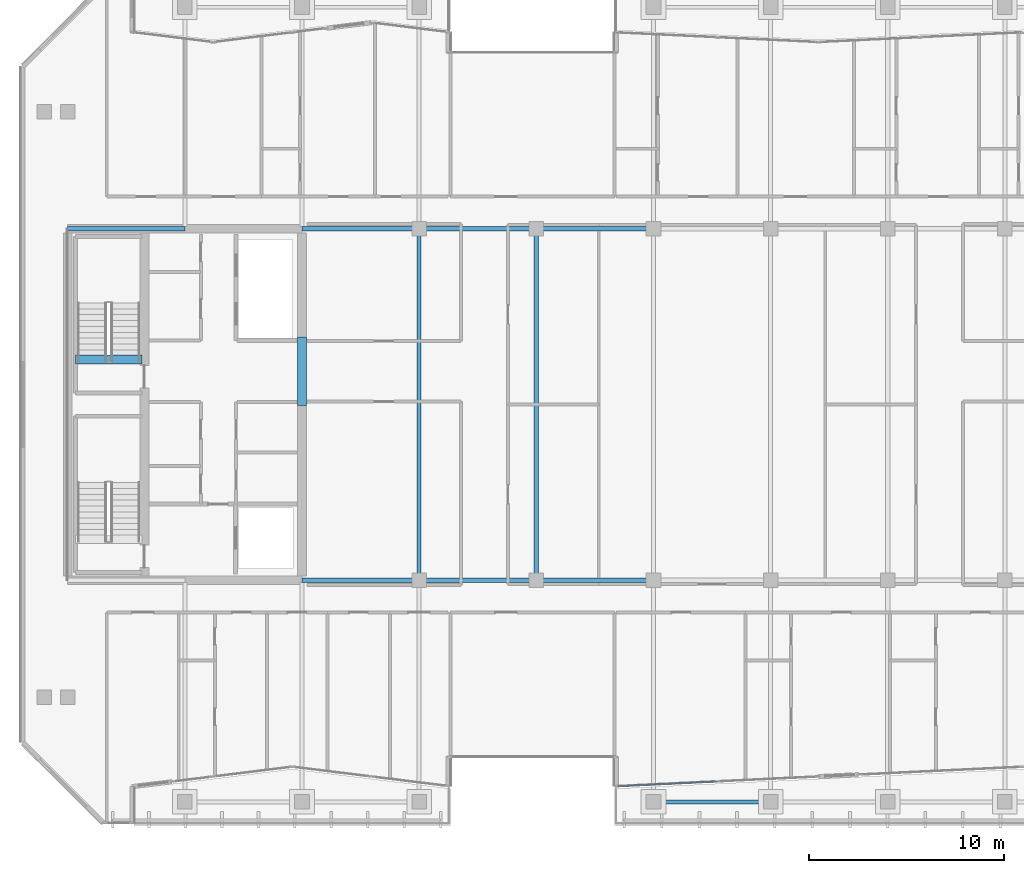
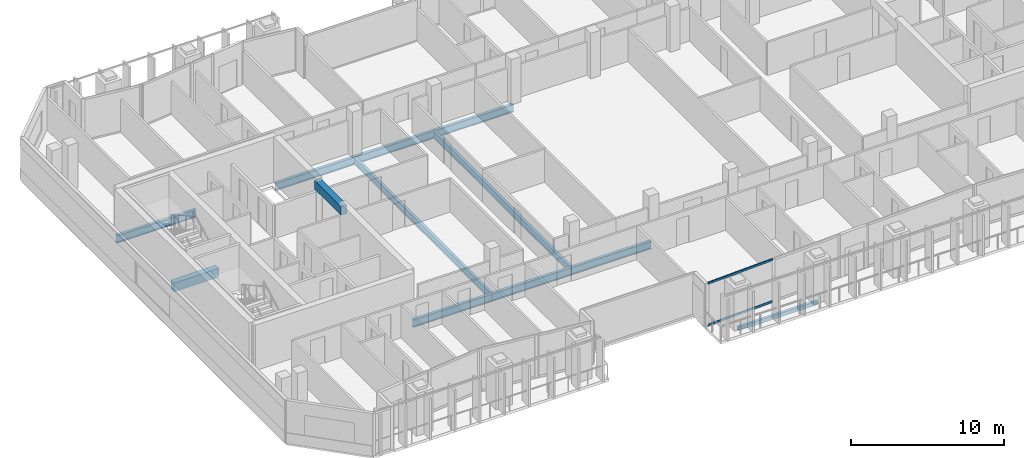
# One storey, part 5 of 31: 12 beams, 2 members, 1 element without a shape of its own.
"""IFC4 building model written with IfcOpenShell, lengths in metres."""

from ifc_helpers import new_model, si_unit, direction, frame, origin, origin_2d, place, context, subcontext, project, spatial, rectangle, hollow_rectangle, i_section, extrude, material, layer, layer_set, material_profile, profile_set, type_object, element, aggregate, save


model = new_model("IFC4")

# Units and contexts
model_context = context("Model", 3, precision=1e-05, world=origin(), true_north=direction((0.0, 1.0)))
body_context = subcontext(model_context, "Body", "Model", "MODEL_VIEW")
ifc_project = project(units=[si_unit("LENGTHUNIT", "METRE"), si_unit("AREAUNIT", "SQUARE_METRE"), si_unit("VOLUMEUNIT", "CUBIC_METRE"), si_unit("PLANEANGLEUNIT", "RADIAN"), si_unit("MASSUNIT", "GRAM", prefix="KILO")], contexts=[model_context])

# Site, building, storey
site_placement = place(None, origin())
site = spatial("IfcSite", under=ifc_project, at=site_placement, CompositionType="ELEMENT")
building_placement = place(site_placement, origin())
building = spatial("IfcBuilding", under=site, at=building_placement, Name="Tanjung Sevakor Pilgrim Tower", CompositionType="ELEMENT")
storey_placement = place(building_placement, frame((0.0, 0.0, 208.22998046875)))
storey = spatial("IfcBuildingStorey", under=building, at=storey_placement, Name="L58", CompositionType="ELEMENT", Elevation=208.22998046875)

# Beams
ifc_material_1 = material(Name="Steel S355J2", Category="steel")
ifc_material_profile_1 = material_profile(ifc_material_1, i_section(OverallWidth=0.22900390625, OverallDepth=0.6123046875, WebThickness=0.011962890625, FlangeThickness=0.01953125, FilletRadius=0.0126953125, at=origin_2d()))
ifc_profile_set_1 = profile_set([ifc_material_profile_1], Name="Steel S355J2")
beam_type_1 = type_object("IfcBeamType", Name="BM-B-G4-UB_610x229x125", PredefinedType="BEAM", material=ifc_profile_set_1)
for number, where, z_axis, x_axis, name in (
    (1, (36.0, 24.60009765625, -0.526123046875), (1.0, 0.0, 0.0), (0.0, 1.0, 0.0), "L58 Primary Floor Girder MAIN Y246-02"),
    (2, (42.0, 24.60009765625, -0.526123046875), (1.0, 0.0, 0.0), (0.0, 1.0, 0.0), "L58 Primary Floor Girder MAIN Y246-03"),
    (3, (48.0, 24.60009765625, -0.526123046875), (1.0, 0.0, 0.0), (0.0, 1.0, 0.0), "L58 Primary Floor Girder MAIN Y246-04"),
    (4, (24.0, 42.60009765625, -0.526123046875), (1.0, 0.0, 0.0), (0.0, 1.0, 0.0), "L58 Primary Floor Girder MAIN Y426-01"),
    (5, (36.0, 42.60009765625, -0.526123046875), (1.0, 0.0, 0.0), (0.0, 1.0, 0.0), "L58 Primary Floor Girder MAIN Y426-02"),
    (6, (42.0, 42.60009765625, -0.526123046875), (1.0, 0.0, 0.0), (0.0, 1.0, 0.0), "L58 Primary Floor Girder MAIN Y426-03"),
    (7, (48.0, 42.60009765625, -0.526123046875), (1.0, 0.0, 0.0), (0.0, 1.0, 0.0), "L58 Primary Floor Girder MAIN Y426-04"),
):
    element("IfcBeam", number, at=place(storey_placement, frame(where, z_axis=z_axis, x_axis=x_axis)), inside=storey, type_object=beam_type_1, Name=name, PredefinedType="BEAM", context=body_context, shape_type="SweptSolid", body=[
        extrude(i_section(OverallWidth=0.22900390625, OverallDepth=0.6123046875, WebThickness=0.011962890625, FlangeThickness=0.01953125, FilletRadius=0.0126953125, at=origin_2d()), origin(), (0.0, 0.0, 1.0), 6.0),
    ])
ifc_material_2 = material(Name="Steel S355J2", Category="steel")
ifc_material_profile_2 = material_profile(ifc_material_2, i_section(OverallWidth=0.2119140625, OverallDepth=0.54443359375, WebThickness=0.0126953125, FlangeThickness=0.021240234375, FilletRadius=0.0126953125, at=origin_2d()))
ifc_profile_set_2 = profile_set([ifc_material_profile_2], Name="Steel S355J2")
beam_type_2 = type_object("IfcBeamType", Name="BM-B-G5-UB_533x210x122", PredefinedType="BEAM", material=ifc_profile_set_2)
for number, where, z_axis, x_axis, name in (
    (8, (42.0, 24.60009765625, -0.4921875), (0.0, 1.0, 0.0), (-1.0, 0.0, 0.0), "L58 MAIN Girder 006"),
    (9, (48.0, 24.60009765625, -0.4921875), (0.0, 1.0, 0.0), (-1.0, 0.0, 0.0), "L58 MAIN Girder 008"),
):
    element("IfcBeam", number, at=place(storey_placement, frame(where, z_axis=z_axis, x_axis=x_axis)), inside=storey, type_object=beam_type_2, Name=name, PredefinedType="BEAM", context=body_context, shape_type="SweptSolid", body=[
        extrude(i_section(OverallWidth=0.2119140625, OverallDepth=0.54443359375, WebThickness=0.0126953125, FlangeThickness=0.021240234375, FilletRadius=0.0126953125, at=origin_2d()), origin(), (0.0, 0.0, 1.0), 18.0),
    ])
ifc_material_3 = material(Name="Concrete C60/75", Category="concrete")
ifc_material_profile_3 = material_profile(ifc_material_3, rectangle(XDim=0.449951171875, YDim=0.699951171875, at=origin_2d()))
ifc_profile_set_3 = profile_set([ifc_material_profile_3], Name="Concrete C60/75")
beam_type_3 = type_object("IfcBeamType", Name="BM-B-LN3-RC-BM_450x700", PredefinedType="LINTEL", material=ifc_profile_set_3)
beam_1_placement = place(storey_placement, frame((36.0, 33.550048828125, 3.06005859375), z_axis=(0.0, 1.0, 0.0), x_axis=(-1.0, 0.0, 0.0)))
element("IfcBeam", 10, at=beam_1_placement, inside=storey, type_object=beam_type_3, Name="L58 W Core Coupling Lintel", PredefinedType="LINTEL", context=body_context, shape_type="SweptSolid", body=[
    extrude(rectangle(XDim=0.449951171875, YDim=0.699951171875, at=origin_2d()), origin(), (0.0, 0.0, 1.0), 3.5),
])
beam_2_placement = place(storey_placement, frame((24.39990234375, 35.89990234375, -0.35009765625), z_axis=(1.0, 0.0, 0.0), x_axis=(0.0, 1.0, 0.0)))
element("IfcBeam", 11, at=beam_2_placement, inside=storey, type_object=beam_type_3, Name="L58 TS-W2 Stair Threshold Beam", PredefinedType="LINTEL", context=body_context, shape_type="SweptSolid", body=[
    extrude(rectangle(XDim=0.449951171875, YDim=0.699951171875, at=origin_2d()), origin(), (0.0, 0.0, 1.0), 3.400146484375),
])
ifc_material_4 = material(Name="Steel S355J2", Category="steel")
ifc_material_profile_4 = material_profile(ifc_material_4, hollow_rectangle(XDim=0.199951171875, YDim=0.300048828125, WallThickness=0.012451171875, at=origin_2d()))
ifc_profile_set_4 = profile_set([ifc_material_profile_4], Name="Steel S355J2")
beam_type_4 = type_object("IfcBeamType", Name="BM-B-SP3-RHS_300x200x12.5", PredefinedType="SPANDREL", material=ifc_profile_set_4)
beam_3_placement = place(storey_placement, frame((54.0, 13.25, -0.369873046875), z_axis=(1.0, 0.0, 0.0), x_axis=(0.0, 1.0, 0.0)))
element("IfcBeam", 12, at=beam_3_placement, inside=storey, type_object=beam_type_4, Name="L58 Spandrel MAIN S-05", PredefinedType="SPANDREL", context=body_context, shape_type="SweptSolid", body=[
    extrude(hollow_rectangle(XDim=0.199951171875, YDim=0.300048828125, WallThickness=0.012451171875, at=origin_2d()), origin(), (0.0, 0.0, 1.0), 6.0),
])

# Curtain wall, members
ifc_material_5 = material(Name="Aluminium 6063-T6 and Low-E Glass", Category="aluminium")
ifc_layer = layer(ifc_material_5, 0.199951171875)
ifc_layer_set = layer_set([ifc_layer], Name="CW-SYS-PRAY")
curtain_wall_type = type_object("IfcCurtainWallType", Name="CW-SYS-PRAY", PredefinedType="NOTDEFINED", material=ifc_layer_set)
curtain_wall_placement = place(storey_placement, origin())
curtain_wall = element("IfcCurtainWall", 13, at=curtain_wall_placement, inside=storey, type_object=curtain_wall_type, Name="L58 Curtain Wall CW-PRY-L58-9", PredefinedType="NOTDEFINED")
ifc_material_6 = material(Name="Aluminium 6063-T6", Category="aluminium")
ifc_material_profile_5 = material_profile(ifc_material_6, hollow_rectangle(XDim=0.074951171875, YDim=0.159912109375, WallThickness=0.00439453125, at=origin_2d()))
ifc_profile_set_5 = profile_set([ifc_material_profile_5], Name="Aluminium 6063-T6")
member_type = type_object("IfcMemberType", Name="TYPE-CWT-2", PredefinedType="USERDEFINED", material=ifc_profile_set_5)
member_1_placement = place(storey_placement, frame((52.184814453125, 14.049072265625, 0.03759765625), z_axis=(0.998858951374, 0.047757672262, 0.0), x_axis=(-0.047757672262, 0.998858951374, 0.0)))
member_1 = element("IfcMember", 14, at=member_1_placement, type_object=member_type, Name="CW-PRY transom 1.1", ObjectType="TRANSOM", PredefinedType="USERDEFINED", context=body_context, shape_type="SweptSolid", body=[
    extrude(hollow_rectangle(XDim=0.074951171875, YDim=0.159912109375, WallThickness=0.00439453125, at=origin_2d()), origin(), (0.0, 0.0, 1.0), 5.06103515625),
])
member_2_placement = place(storey_placement, frame((52.184814453125, 14.049072265625, 3.37255859375), z_axis=(0.998858951374, 0.047757672262, 0.0), x_axis=(-0.047757672262, 0.998858951374, 0.0)))
member_2 = element("IfcMember", 15, at=member_2_placement, type_object=member_type, Name="CW-PRY transom 1.2", ObjectType="TRANSOM", PredefinedType="USERDEFINED", context=body_context, shape_type="SweptSolid", body=[
    extrude(hollow_rectangle(XDim=0.074951171875, YDim=0.159912109375, WallThickness=0.00439453125, at=origin_2d()), origin(), (0.0, 0.0, 1.0), 5.06103515625),
])
aggregate(curtain_wall, [member_1, member_2])

save(model, "model.ifc")
